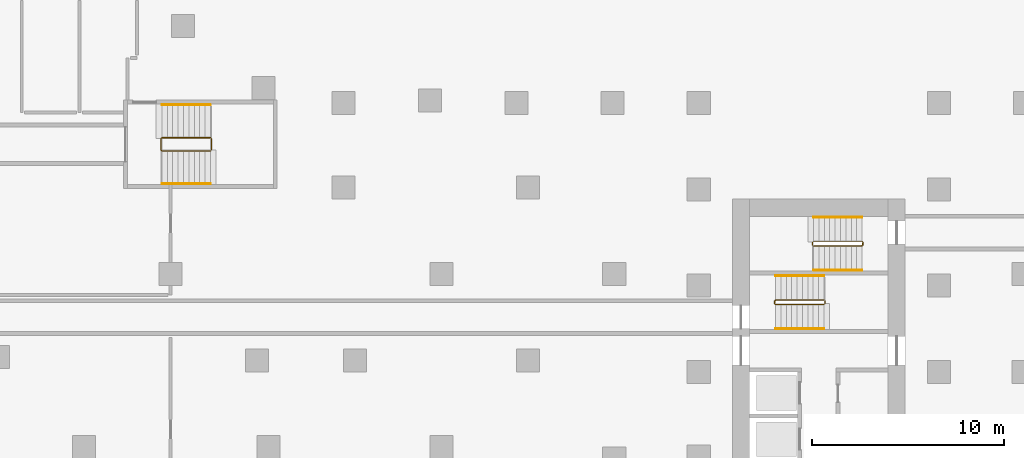
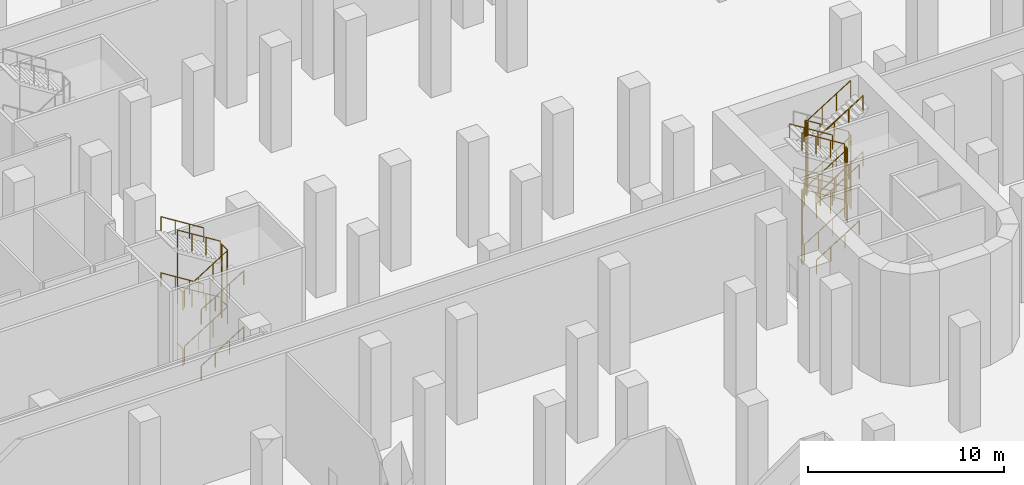
# One storey, part 30 of 34: 18 railings.
"""IFC4 building model written with IfcOpenShell, lengths in metres."""

import ifcopenshell
import ifcopenshell.guid

model = None  # the IFC model being written
_history = None  # IfcOwnerHistory: only IFC2X3 demands one
_inside = {}  # id of a spatial element -> (the spatial element, [elements in it])
_under = {}  # id of a project, library or spatial element -> (it, [spatial elements below it])
_declared = {}  # id of a project -> (the project, [libraries it declares])
_typed = {}  # id of a type object -> (the type object, [elements of that type])
_made_of = {}  # id of a material, layer set ... -> (it, [elements and type objects made of it])


def new_model(schema):
    """Start an empty IFC model of exactly this schema.

    Asked for "IFC4X3", IfcOpenShell would pick the latest addendum, in which some entities
    have other attributes; the version numbers below select the first issue.
    IFC2X3 requires an IfcOwnerHistory on every rooted entity: one is made here for all.
    """
    global model, _history
    if schema == "IFC4X3":
        model = ifcopenshell.file(schema_version=(4, 3, 0, 0))
    else:
        model = ifcopenshell.file(schema=schema)
    _inside.clear()
    _under.clear()
    _declared.clear()
    _typed.clear()
    _made_of.clear()
    _history = None
    if model.schema == "IFC2X3":
        org = make("IfcOrganization", Name="unknown")
        user = make(
            "IfcPersonAndOrganization",
            ThePerson=make("IfcPerson", FamilyName="unknown"),
            TheOrganization=org,
        )
        app = make(
            "IfcApplication",
            ApplicationDeveloper=org,
            Version="unknown",
            ApplicationFullName="unknown",
            ApplicationIdentifier="unknown",
        )
        _history = make(
            "IfcOwnerHistory",
            OwningUser=user,
            OwningApplication=app,
            ChangeAction="ADDED",
            CreationDate=0,
        )
    return model


def make(cls, **values):
    """One entity of the class cls with the attributes given. An attribute that is None is left unset."""
    return model.create_entity(
        cls, **{name: value for name, value in values.items() if value is not None}
    )


def rooted(cls, **values):
    """An entity with a GlobalId (a new one), such as an element, a storey or a relation."""
    return make(cls, GlobalId=ifcopenshell.guid.new(), OwnerHistory=_history, **values)


def si_unit(unit_type, name, prefix=None):
    """IfcSIUnit, for example si_unit("LENGTHUNIT", "METRE", prefix="MILLI")."""
    return make("IfcSIUnit", UnitType=unit_type, Prefix=prefix, Name=name)


def assignment(units):
    """IfcUnitAssignment: the units of a project."""
    return None if units is None else make("IfcUnitAssignment", Units=units)


def point(xyz):
    """IfcCartesianPoint."""
    return None if xyz is None else make("IfcCartesianPoint", Coordinates=xyz)


def direction(xyz):
    """IfcDirection."""
    return None if xyz is None else make("IfcDirection", DirectionRatios=xyz)


def frame(location, z_axis=None, x_axis=None):
    """IfcAxis2Placement3D, a coordinate frame: its origin and axes. An axis left out is left unset."""
    return make(
        "IfcAxis2Placement3D",
        Location=point(location),
        Axis=direction(z_axis),
        RefDirection=direction(x_axis),
    )


def frame_2d(location, x_axis=None):
    """IfcAxis2Placement2D, a coordinate frame in the plane: its origin and x axis."""
    return make(
        "IfcAxis2Placement2D", Location=point(location), RefDirection=direction(x_axis)
    )


def origin():
    """The frame at (0, 0, 0) with its axes left unset."""
    return frame((0.0, 0.0, 0.0))


def origin_2d():
    """The frame at (0, 0) in the plane with its x axis left unset."""
    return frame_2d((0.0, 0.0))


def place(relative_to, where):
    """IfcLocalPlacement: puts the frame where relative to a parent placement (None: the world)."""
    return make(
        "IfcLocalPlacement", PlacementRelTo=relative_to, RelativePlacement=where
    )


def context(
    kind, dimensions, precision=None, world=None, true_north=None, identifier=None
):
    """IfcGeometricRepresentationContext, for example the 3D "Model" context."""
    return make(
        "IfcGeometricRepresentationContext",
        ContextIdentifier=identifier,
        ContextType=kind,
        CoordinateSpaceDimension=dimensions,
        Precision=precision,
        WorldCoordinateSystem=world,
        TrueNorth=true_north,
    )


def subcontext(parent, identifier, kind, view, scale=None):
    """IfcGeometricRepresentationSubContext, for example "Body" below "Model"."""
    return make(
        "IfcGeometricRepresentationSubContext",
        ContextIdentifier=identifier,
        ContextType=kind,
        ParentContext=parent,
        TargetScale=scale,
        TargetView=view,
    )


def project(units=None, contexts=None):
    """IfcProject with its units and contexts."""
    return rooted(
        "IfcProject",
        Name="project",
        RepresentationContexts=contexts,
        UnitsInContext=assignment(units),
    )


def spatial(cls, under=None, at=None, **own):
    """A site, building, storey or space (cls), placed at a placement, below another one or the project."""
    s = rooted(cls, ObjectPlacement=at, **own)
    if under is not None:
        _under.setdefault(under.id(), (under, []))[1].append(s)
    return s


def profile(cls, at=None, kind="AREA", **sizes):
    """A parametric profile (cls). Its sizes go by their IFC names, for example OverallWidth=200.0."""
    return make(cls, ProfileType=kind, Position=at, **sizes)


def circle(**sizes):
    """IfcCircleProfileDef."""
    return profile("IfcCircleProfileDef", **sizes)


def extrude(swept, where, along, depth):
    """IfcExtrudedAreaSolid: the profile swept, set in the frame where, extruded along a direction by depth."""
    return make(
        "IfcExtrudedAreaSolid",
        SweptArea=swept,
        Position=where,
        ExtrudedDirection=direction(along),
        Depth=depth,
    )


def shape(context_of_items, identifier, shape_type, items):
    """IfcShapeRepresentation: the items that make up one representation, for example the "Body"."""
    return make(
        "IfcShapeRepresentation",
        ContextOfItems=context_of_items,
        RepresentationIdentifier=identifier,
        RepresentationType=shape_type,
        Items=items,
    )


def material(Name=None, Category=None):
    """IfcMaterial."""
    return make("IfcMaterial", Name=Name, Category=Category)


def made_of(thing, what):
    """Note that an element or type object is made of a material, layer set ...; save() writes the relation."""
    if what is not None:
        _made_of.setdefault(what.id(), (what, []))[1].append(thing)
    return thing


def type_object(cls, material=None, **own):
    """A type object (cls), such as IfcWallType, which elements share."""
    return made_of(rooted(cls, **own), material)


def element(
    cls,
    number,
    at=None,
    inside=None,
    cuts=None,
    type_object=None,
    material=None,
    context=None,
    identifier="Body",
    shape_type=None,
    held_by="IfcProductDefinitionShape",
    body=None,
    shapes=None,
    **own,
):
    """One element of the class cls, such as IfcWall. Its Tag is "e" and its number.

    at: its placement. inside: the storey or other place that contains it. cuts: it is an
    opening in that element (IfcRelVoidsElement). A single representation is given by context,
    identifier, shape_type and body (its items); several are given by shapes. held_by: the class
    of the entity that holds the representations. save() writes the other relations.
    """
    e = rooted(cls, Tag="e%d" % number, ObjectPlacement=at, **own)
    if body is not None:
        shapes = [shape(context, identifier, shape_type, body)]
    if shapes is not None:
        e.Representation = make(held_by, Representations=shapes)
    if inside is not None:
        _inside.setdefault(inside.id(), (inside, []))[1].append(e)
    if cuts is not None:
        rooted(
            "IfcRelVoidsElement", RelatingBuildingElement=cuts, RelatedOpeningElement=e
        )
    if type_object is not None:
        _typed.setdefault(type_object.id(), (type_object, []))[1].append(e)
    return made_of(e, material)


def aggregate(whole, parts):
    """IfcRelAggregates: a whole, such as a stair, and the parts it consists of."""
    return rooted("IfcRelAggregates", RelatingObject=whole, RelatedObjects=parts)


def save(model, path):
    """Write the relations noted so far, then the file.

    IfcRelAggregates (storeys below a building ...), IfcRelContainedInSpatialStructure (elements
    in a storey), IfcRelDefinesByType, IfcRelAssociatesMaterial and IfcRelDeclares: one each for
    every whole, place, type object, material and project.
    """
    for whole, parts in _under.values():
        aggregate(whole, parts)
    for where, things in _inside.values():
        rooted(
            "IfcRelContainedInSpatialStructure",
            RelatedElements=things,
            RelatingStructure=where,
        )
    for kind, things in _typed.values():
        rooted("IfcRelDefinesByType", RelatedObjects=things, RelatingType=kind)
    for what, things in _made_of.values():
        rooted("IfcRelAssociatesMaterial", RelatedObjects=things, RelatingMaterial=what)
    for by, libraries in _declared.values():
        rooted("IfcRelDeclares", RelatingContext=by, RelatedDefinitions=libraries)
    model.write(path)


model = new_model("IFC4")

# Units and contexts
model_context = context("Model", 3, precision=1e-05, world=origin(), true_north=direction((0.0, 1.0)))
body_context = subcontext(model_context, "Body", "Model", "MODEL_VIEW")
ifc_project = project(units=[si_unit("LENGTHUNIT", "METRE"), si_unit("AREAUNIT", "SQUARE_METRE"), si_unit("VOLUMEUNIT", "CUBIC_METRE"), si_unit("PLANEANGLEUNIT", "RADIAN"), si_unit("MASSUNIT", "GRAM", prefix="KILO")], contexts=[model_context])

# Site, building, storey
site_placement = place(None, origin())
site = spatial("IfcSite", under=ifc_project, at=site_placement, CompositionType="ELEMENT")
building_placement = place(site_placement, origin())
building = spatial("IfcBuilding", under=site, at=building_placement, Name="Zarbagh Exchange Tower", CompositionType="ELEMENT")
storey_placement = place(building_placement, origin())
storey = spatial("IfcBuildingStorey", under=building, at=storey_placement, Name="L00", CompositionType="ELEMENT", Elevation=0.0)

# Railings
ifc_material = material(Name="Stainless steel", Category="steel")
railing_type_1 = type_object("IfcRailingType", Name="Stair guard 1100 mm", PredefinedType="GUARDRAIL", material=ifc_material)
railing_1_placement = place(storey_placement, frame((-2.25, -16.75, 0.175048828125)))
element("IfcRailing", 1, at=railing_1_placement, inside=storey, type_object=railing_type_1, Name="ST3 stair guard 1", PredefinedType="GUARDRAIL", context=body_context, shape_type="SweptSolid", body=[
    extrude(circle(Radius=0.02392578125, at=origin_2d()), frame((0.0, 0.0, 1.076171875), z_axis=(0.848007534815, 0.0, 0.529984170421), x_axis=(0.0, 1.0, 0.0)), (0.0, 0.0, 1.0), 2.9716796875),
    extrude(circle(Radius=0.02392578125, at=origin_2d()), frame((2.52001953125, 0.0, 2.65087890625), z_axis=(0.0, 0.0, 1.0), x_axis=(1.0, 0.0, 0.0)), (0.0, 0.0, 1.0), 3.5),
    extrude(circle(Radius=0.02392578125, at=origin_2d()), frame((2.52001953125, 0.0, 6.15087890625), z_axis=(-0.848007534815, 0.0, -0.529984170421), x_axis=(0.0, -1.0, 0.0)), (0.0, 0.0, 1.0), 2.9716796875),
    extrude(circle(Radius=0.02392578125, at=origin_2d()), frame((0.0, 0.0, 4.576171875), z_axis=(-0.265065253269, 0.265065253269, -0.927081885822), x_axis=(-0.707106781187, -0.707106781187, 0.0)), (0.0, 0.0, 1.0), 0.188720703125),
    extrude(circle(Radius=0.02392578125, at=origin_2d()), frame((-0.050048828125, 0.050048828125, 4.40087890625), z_axis=(0.0, 1.0, 0.0), x_axis=(-1.0, 0.0, 0.0)), (0.0, 0.0, 1.0), 0.14990234375),
    extrude(circle(Radius=0.02392578125, at=origin_2d()), frame((-0.050048828125, 0.199951171875, 4.40087890625), z_axis=(0.0, 0.0, -1.0), x_axis=(1.0, 0.0, 0.0)), (0.0, 0.0, 1.0), 3.5),
    extrude(circle(Radius=0.02392578125, at=origin_2d()), frame((-0.050048828125, 0.199951171875, 0.90087890625), z_axis=(0.0, -1.0, 0.0), x_axis=(1.0, 0.0, 0.0)), (0.0, 0.0, 1.0), 0.14990234375),
    extrude(circle(Radius=0.02392578125, at=origin_2d()), frame((-0.050048828125, 0.050048828125, 0.90087890625), z_axis=(0.014274932499, 0.057030096177, 0.998270401461), x_axis=(-0.970072785993, 0.242814311512, 0.0)), (0.0, 0.0, 1.0), 3.506103515625),
    extrude(circle(Radius=0.02392578125, at=origin_2d()), frame((0.0, 0.25, 4.40087890625), z_axis=(0.848007534815, 0.0, -0.529984170421), x_axis=(0.0, 1.0, 0.0)), (0.0, 0.0, 1.0), 2.9716796875),
    extrude(circle(Radius=0.02392578125, at=origin_2d()), frame((2.52001953125, 0.25, 2.826171875), z_axis=(0.0, 0.0, 1.0), x_axis=(1.0, 0.0, 0.0)), (0.0, 0.0, 1.0), 3.5),
    extrude(circle(Radius=0.02392578125, at=origin_2d()), frame((2.52001953125, 0.25, 6.326171875), z_axis=(-0.848007534815, 0.0, 0.529984170421), x_axis=(0.0, -1.0, 0.0)), (0.0, 0.0, 1.0), 2.9716796875),
    extrude(circle(Radius=0.02099609375, at=origin_2d()), origin(), (0.0, 0.0, 1.0), 1.052001953125),
    extrude(circle(Radius=0.02099609375, at=origin_2d()), frame((0.840087890625, 0.0, 0.52490234375)), (0.0, 0.0, 1.0), 1.052001953125),
    extrude(circle(Radius=0.02099609375, at=origin_2d()), frame((1.679931640625, 0.0, 1.050048828125)), (0.0, 0.0, 1.0), 1.052001953125),
    extrude(circle(Radius=0.02099609375, at=origin_2d()), frame((2.52001953125, 0.0, 1.574951171875)), (0.0, 0.0, 1.0), 1.052001953125),
    extrude(circle(Radius=0.02099609375, at=origin_2d()), frame((2.52001953125, 0.0, 2.74169921875)), (0.0, 0.0, 1.0), 1.052001953125),
    extrude(circle(Radius=0.02099609375, at=origin_2d()), frame((2.52001953125, 0.0, 3.908203125)), (0.0, 0.0, 1.0), 1.052001953125),
    extrude(circle(Radius=0.02099609375, at=origin_2d()), frame((2.52001953125, 0.0, 5.074951171875)), (0.0, 0.0, 1.0), 1.052001953125),
    extrude(circle(Radius=0.02099609375, at=origin_2d()), frame((1.679931640625, 0.0, 4.550048828125)), (0.0, 0.0, 1.0), 1.052001953125),
    extrude(circle(Radius=0.02099609375, at=origin_2d()), frame((0.840087890625, 0.0, 4.02490234375)), (0.0, 0.0, 1.0), 1.052001953125),
    extrude(circle(Radius=0.02099609375, at=origin_2d()), frame((0.0, 0.0, 3.5)), (0.0, 0.0, 1.0), 1.052001953125),
    extrude(circle(Radius=0.02099609375, at=origin_2d()), frame((-0.050048828125, 0.050048828125, 3.324951171875)), (0.0, 0.0, 1.0), 1.052001953125),
    extrude(circle(Radius=0.02099609375, at=origin_2d()), frame((-0.050048828125, 0.199951171875, 3.324951171875)), (0.0, 0.0, 1.0), 1.052001953125),
    extrude(circle(Radius=0.02099609375, at=origin_2d()), frame((-0.050048828125, 0.199951171875, 2.158203125)), (0.0, 0.0, 1.0), 1.052001953125),
    extrude(circle(Radius=0.02099609375, at=origin_2d()), frame((-0.050048828125, 0.199951171875, 0.99169921875)), (0.0, 0.0, 1.0), 1.052001953125),
    extrude(circle(Radius=0.02099609375, at=origin_2d()), frame((-0.050048828125, 0.199951171875, -0.175048828125)), (0.0, 0.0, 1.0), 1.052001953125),
    extrude(circle(Radius=0.02099609375, at=origin_2d()), frame((-0.050048828125, 0.050048828125, -0.175048828125)), (0.0, 0.0, 1.0), 1.052001953125),
    extrude(circle(Radius=0.02099609375, at=origin_2d()), frame((-0.033447265625, 0.11669921875, 0.99169921875)), (0.0, 0.0, 1.0), 1.052001953125),
    extrude(circle(Radius=0.02099609375, at=origin_2d()), frame((-0.0166015625, 0.183349609375, 2.158203125)), (0.0, 0.0, 1.0), 1.052001953125),
    extrude(circle(Radius=0.02099609375, at=origin_2d()), frame((0.0, 0.25, 3.324951171875)), (0.0, 0.0, 1.0), 1.052001953125),
    extrude(circle(Radius=0.02099609375, at=origin_2d()), frame((0.840087890625, 0.25, 2.800048828125)), (0.0, 0.0, 1.0), 1.052001953125),
    extrude(circle(Radius=0.02099609375, at=origin_2d()), frame((1.679931640625, 0.25, 2.27490234375)), (0.0, 0.0, 1.0), 1.052001953125),
    extrude(circle(Radius=0.02099609375, at=origin_2d()), frame((2.52001953125, 0.25, 1.75)), (0.0, 0.0, 1.0), 1.052001953125),
    extrude(circle(Radius=0.02099609375, at=origin_2d()), frame((2.52001953125, 0.25, 2.916748046875)), (0.0, 0.0, 1.0), 1.052001953125),
    extrude(circle(Radius=0.02099609375, at=origin_2d()), frame((2.52001953125, 0.25, 4.083251953125)), (0.0, 0.0, 1.0), 1.052001953125),
    extrude(circle(Radius=0.02099609375, at=origin_2d()), frame((2.52001953125, 0.25, 5.25)), (0.0, 0.0, 1.0), 1.052001953125),
    extrude(circle(Radius=0.02099609375, at=origin_2d()), frame((1.679931640625, 0.25, 5.77490234375)), (0.0, 0.0, 1.0), 1.052001953125),
    extrude(circle(Radius=0.02099609375, at=origin_2d()), frame((0.840087890625, 0.25, 6.300048828125)), (0.0, 0.0, 1.0), 1.052001953125),
    extrude(circle(Radius=0.02099609375, at=origin_2d()), frame((0.0, 0.25, 6.824951171875)), (0.0, 0.0, 1.0), 1.052001953125),
])
railing_2_placement = place(storey_placement, frame((0.320068359375, -16.699951171875, 1.75)))
element("IfcRailing", 2, at=railing_2_placement, inside=storey, type_object=railing_type_1, Name="ST3 stair guard 2", PredefinedType="GUARDRAIL", context=body_context, shape_type="SweptSolid", body=[
    extrude(circle(Radius=0.02392578125, at=origin_2d()), frame((0.0, 0.0, 1.076171875), z_axis=(0.0, 1.0, 0.0), x_axis=(-1.0, 0.0, 0.0)), (0.0, 0.0, 1.0), 0.14990234375),
    extrude(circle(Radius=0.02392578125, at=origin_2d()), frame((0.0, 0.14990234375, 1.076171875), z_axis=(0.0, 0.0, 1.0), x_axis=(1.0, 0.0, 0.0)), (0.0, 0.0, 1.0), 3.5),
    extrude(circle(Radius=0.02392578125, at=origin_2d()), frame((0.0, 0.14990234375, 4.576171875), z_axis=(0.0, -1.0, 0.0), x_axis=(1.0, 0.0, 0.0)), (0.0, 0.0, 1.0), 0.14990234375),
    extrude(circle(Radius=0.02099609375, at=origin_2d()), origin(), (0.0, 0.0, 1.0), 1.052001953125),
    extrude(circle(Radius=0.02099609375, at=origin_2d()), frame((0.0, 0.14990234375, 0.0)), (0.0, 0.0, 1.0), 1.052001953125),
    extrude(circle(Radius=0.02099609375, at=origin_2d()), frame((0.0, 0.14990234375, 1.166748046875)), (0.0, 0.0, 1.0), 1.052001953125),
    extrude(circle(Radius=0.02099609375, at=origin_2d()), frame((0.0, 0.14990234375, 2.333251953125)), (0.0, 0.0, 1.0), 1.052001953125),
    extrude(circle(Radius=0.02099609375, at=origin_2d()), frame((0.0, 0.14990234375, 3.5)), (0.0, 0.0, 1.0), 1.052001953125),
    extrude(circle(Radius=0.02099609375, at=origin_2d()), frame((0.0, 0.0, 3.5)), (0.0, 0.0, 1.0), 1.052001953125),
])
railing_3_placement = place(storey_placement, frame((2.25, -13.449951171875, 0.175048828125)))
element("IfcRailing", 3, at=railing_3_placement, inside=storey, type_object=railing_type_1, Name="ST4 stair guard 1", PredefinedType="GUARDRAIL", context=body_context, shape_type="SweptSolid", body=[
    extrude(circle(Radius=0.02392578125, at=origin_2d()), frame((0.0, 0.0, 1.076171875), z_axis=(-0.848007534815, 0.0, 0.529984170421), x_axis=(0.0, -1.0, 0.0)), (0.0, 0.0, 1.0), 2.9716796875),
    extrude(circle(Radius=0.02392578125, at=origin_2d()), frame((-2.52001953125, 0.0, 2.65087890625), z_axis=(0.0, 0.0, 1.0), x_axis=(1.0, 0.0, 0.0)), (0.0, 0.0, 1.0), 3.5),
    extrude(circle(Radius=0.02392578125, at=origin_2d()), frame((-2.52001953125, 0.0, 6.15087890625), z_axis=(0.848007534815, 0.0, -0.529984170421), x_axis=(0.0, 1.0, 0.0)), (0.0, 0.0, 1.0), 2.9716796875),
    extrude(circle(Radius=0.02392578125, at=origin_2d()), frame((0.0, 0.0, 4.576171875), z_axis=(0.265065253269, -0.265065253269, -0.927081885822), x_axis=(0.707106781187, 0.707106781187, 0.0)), (0.0, 0.0, 1.0), 0.188720703125),
    extrude(circle(Radius=0.02392578125, at=origin_2d()), frame((0.050048828125, -0.050048828125, 4.40087890625), z_axis=(0.0, -1.0, 0.0), x_axis=(1.0, 0.0, 0.0)), (0.0, 0.0, 1.0), 0.14990234375),
    extrude(circle(Radius=0.02392578125, at=origin_2d()), frame((0.050048828125, -0.199951171875, 4.40087890625), z_axis=(0.0, 0.0, -1.0), x_axis=(1.0, 0.0, 0.0)), (0.0, 0.0, 1.0), 3.5),
    extrude(circle(Radius=0.02392578125, at=origin_2d()), frame((0.050048828125, -0.199951171875, 0.90087890625), z_axis=(0.0, 1.0, 0.0), x_axis=(-1.0, 0.0, 0.0)), (0.0, 0.0, 1.0), 0.14990234375),
    extrude(circle(Radius=0.02392578125, at=origin_2d()), frame((0.050048828125, -0.050048828125, 0.90087890625), z_axis=(-0.014274932499, -0.057030096177, 0.998270401461), x_axis=(0.970072785993, -0.242814311512, 0.0)), (0.0, 0.0, 1.0), 3.506103515625),
    extrude(circle(Radius=0.02392578125, at=origin_2d()), frame((0.0, -0.25, 4.40087890625), z_axis=(-0.848007534815, 0.0, -0.529984170421), x_axis=(0.0, -1.0, 0.0)), (0.0, 0.0, 1.0), 2.9716796875),
    extrude(circle(Radius=0.02392578125, at=origin_2d()), frame((-2.52001953125, -0.25, 2.826171875), z_axis=(0.0, 0.0, 1.0), x_axis=(1.0, 0.0, 0.0)), (0.0, 0.0, 1.0), 3.5),
    extrude(circle(Radius=0.02392578125, at=origin_2d()), frame((-2.52001953125, -0.25, 6.326171875), z_axis=(0.848007534815, 0.0, 0.529984170421), x_axis=(0.0, 1.0, 0.0)), (0.0, 0.0, 1.0), 2.9716796875),
    extrude(circle(Radius=0.02099609375, at=origin_2d()), origin(), (0.0, 0.0, 1.0), 1.052001953125),
    extrude(circle(Radius=0.02099609375, at=origin_2d()), frame((-0.840087890625, 0.0, 0.52490234375)), (0.0, 0.0, 1.0), 1.052001953125),
    extrude(circle(Radius=0.02099609375, at=origin_2d()), frame((-1.679931640625, 0.0, 1.050048828125)), (0.0, 0.0, 1.0), 1.052001953125),
    extrude(circle(Radius=0.02099609375, at=origin_2d()), frame((-2.52001953125, 0.0, 1.574951171875)), (0.0, 0.0, 1.0), 1.052001953125),
    extrude(circle(Radius=0.02099609375, at=origin_2d()), frame((-2.52001953125, 0.0, 2.74169921875)), (0.0, 0.0, 1.0), 1.052001953125),
    extrude(circle(Radius=0.02099609375, at=origin_2d()), frame((-2.52001953125, 0.0, 3.908203125)), (0.0, 0.0, 1.0), 1.052001953125),
    extrude(circle(Radius=0.02099609375, at=origin_2d()), frame((-2.52001953125, 0.0, 5.074951171875)), (0.0, 0.0, 1.0), 1.052001953125),
    extrude(circle(Radius=0.02099609375, at=origin_2d()), frame((-1.679931640625, 0.0, 4.550048828125)), (0.0, 0.0, 1.0), 1.052001953125),
    extrude(circle(Radius=0.02099609375, at=origin_2d()), frame((-0.840087890625, 0.0, 4.02490234375)), (0.0, 0.0, 1.0), 1.052001953125),
    extrude(circle(Radius=0.02099609375, at=origin_2d()), frame((0.0, 0.0, 3.5)), (0.0, 0.0, 1.0), 1.052001953125),
    extrude(circle(Radius=0.02099609375, at=origin_2d()), frame((0.050048828125, -0.050048828125, 3.324951171875)), (0.0, 0.0, 1.0), 1.052001953125),
    extrude(circle(Radius=0.02099609375, at=origin_2d()), frame((0.050048828125, -0.199951171875, 3.324951171875)), (0.0, 0.0, 1.0), 1.052001953125),
    extrude(circle(Radius=0.02099609375, at=origin_2d()), frame((0.050048828125, -0.199951171875, 2.158203125)), (0.0, 0.0, 1.0), 1.052001953125),
    extrude(circle(Radius=0.02099609375, at=origin_2d()), frame((0.050048828125, -0.199951171875, 0.99169921875)), (0.0, 0.0, 1.0), 1.052001953125),
    extrude(circle(Radius=0.02099609375, at=origin_2d()), frame((0.050048828125, -0.199951171875, -0.175048828125)), (0.0, 0.0, 1.0), 1.052001953125),
    extrude(circle(Radius=0.02099609375, at=origin_2d()), frame((0.050048828125, -0.050048828125, -0.175048828125)), (0.0, 0.0, 1.0), 1.052001953125),
    extrude(circle(Radius=0.02099609375, at=origin_2d()), frame((0.033447265625, -0.11669921875, 0.99169921875)), (0.0, 0.0, 1.0), 1.052001953125),
    extrude(circle(Radius=0.02099609375, at=origin_2d()), frame((0.0166015625, -0.183349609375, 2.158203125)), (0.0, 0.0, 1.0), 1.052001953125),
    extrude(circle(Radius=0.02099609375, at=origin_2d()), frame((0.0, -0.25, 3.324951171875)), (0.0, 0.0, 1.0), 1.052001953125),
    extrude(circle(Radius=0.02099609375, at=origin_2d()), frame((-0.840087890625, -0.25, 2.800048828125)), (0.0, 0.0, 1.0), 1.052001953125),
    extrude(circle(Radius=0.02099609375, at=origin_2d()), frame((-1.679931640625, -0.25, 2.27490234375)), (0.0, 0.0, 1.0), 1.052001953125),
    extrude(circle(Radius=0.02099609375, at=origin_2d()), frame((-2.52001953125, -0.25, 1.75)), (0.0, 0.0, 1.0), 1.052001953125),
    extrude(circle(Radius=0.02099609375, at=origin_2d()), frame((-2.52001953125, -0.25, 2.916748046875)), (0.0, 0.0, 1.0), 1.052001953125),
    extrude(circle(Radius=0.02099609375, at=origin_2d()), frame((-2.52001953125, -0.25, 4.083251953125)), (0.0, 0.0, 1.0), 1.052001953125),
    extrude(circle(Radius=0.02099609375, at=origin_2d()), frame((-2.52001953125, -0.25, 5.25)), (0.0, 0.0, 1.0), 1.052001953125),
    extrude(circle(Radius=0.02099609375, at=origin_2d()), frame((-1.679931640625, -0.25, 5.77490234375)), (0.0, 0.0, 1.0), 1.052001953125),
    extrude(circle(Radius=0.02099609375, at=origin_2d()), frame((-0.840087890625, -0.25, 6.300048828125)), (0.0, 0.0, 1.0), 1.052001953125),
    extrude(circle(Radius=0.02099609375, at=origin_2d()), frame((0.0, -0.25, 6.824951171875)), (0.0, 0.0, 1.0), 1.052001953125),
])
railing_4_placement = place(storey_placement, frame((-0.320068359375, -13.5, 1.75)))
element("IfcRailing", 4, at=railing_4_placement, inside=storey, type_object=railing_type_1, Name="ST4 stair guard 2", PredefinedType="GUARDRAIL", context=body_context, shape_type="SweptSolid", body=[
    extrude(circle(Radius=0.02392578125, at=origin_2d()), frame((0.0, 0.0, 1.076171875), z_axis=(0.0, -1.0, 0.0), x_axis=(1.0, 0.0, 0.0)), (0.0, 0.0, 1.0), 0.14990234375),
    extrude(circle(Radius=0.02392578125, at=origin_2d()), frame((0.0, -0.14990234375, 1.076171875), z_axis=(0.0, 0.0, 1.0), x_axis=(1.0, 0.0, 0.0)), (0.0, 0.0, 1.0), 3.5),
    extrude(circle(Radius=0.02392578125, at=origin_2d()), frame((0.0, -0.14990234375, 4.576171875), z_axis=(0.0, 1.0, 0.0), x_axis=(-1.0, 0.0, 0.0)), (0.0, 0.0, 1.0), 0.14990234375),
    extrude(circle(Radius=0.02099609375, at=origin_2d()), origin(), (0.0, 0.0, 1.0), 1.052001953125),
    extrude(circle(Radius=0.02099609375, at=origin_2d()), frame((0.0, -0.14990234375, 0.0)), (0.0, 0.0, 1.0), 1.052001953125),
    extrude(circle(Radius=0.02099609375, at=origin_2d()), frame((0.0, -0.14990234375, 1.166748046875)), (0.0, 0.0, 1.0), 1.052001953125),
    extrude(circle(Radius=0.02099609375, at=origin_2d()), frame((0.0, -0.14990234375, 2.333251953125)), (0.0, 0.0, 1.0), 1.052001953125),
    extrude(circle(Radius=0.02099609375, at=origin_2d()), frame((0.0, -0.14990234375, 3.5)), (0.0, 0.0, 1.0), 1.052001953125),
    extrude(circle(Radius=0.02099609375, at=origin_2d()), frame((0.0, 0.0, 3.5)), (0.0, 0.0, 1.0), 1.052001953125),
])
railing_5_placement = place(storey_placement, frame((-34.199951171875, -8.75, 0.175048828125)))
element("IfcRailing", 5, at=railing_5_placement, inside=storey, type_object=railing_type_1, Name="PS4 stair guard 1", PredefinedType="GUARDRAIL", context=body_context, shape_type="SweptSolid", body=[
    extrude(circle(Radius=0.02392578125, at=origin_2d()), frame((0.0, 0.0, 1.076171875), z_axis=(0.848007534815, 0.0, 0.529984170421), x_axis=(0.0, 1.0, 0.0)), (0.0, 0.0, 1.0), 2.9716796875),
    extrude(circle(Radius=0.02392578125, at=origin_2d()), frame((2.52001953125, 0.0, 2.65087890625), z_axis=(0.0, 0.0, 1.0), x_axis=(1.0, 0.0, 0.0)), (0.0, 0.0, 1.0), 3.5),
    extrude(circle(Radius=0.02392578125, at=origin_2d()), frame((2.52001953125, 0.0, 6.15087890625), z_axis=(-0.848007534815, 0.0, -0.529984170421), x_axis=(0.0, -1.0, 0.0)), (0.0, 0.0, 1.0), 2.9716796875),
    extrude(circle(Radius=0.02392578125, at=origin_2d()), frame((0.0, 0.0, 4.576171875), z_axis=(-0.265065253269, 0.265065253269, -0.927081885822), x_axis=(-0.707106781187, -0.707106781187, 0.0)), (0.0, 0.0, 1.0), 0.188720703125),
    extrude(circle(Radius=0.02392578125, at=origin_2d()), frame((-0.050048828125, 0.050048828125, 4.40087890625), z_axis=(0.0, 1.0, 0.0), x_axis=(-1.0, 0.0, 0.0)), (0.0, 0.0, 1.0), 0.599853515625),
    extrude(circle(Radius=0.02392578125, at=origin_2d()), frame((-0.050048828125, 0.64990234375, 4.40087890625), z_axis=(0.0, 0.0, -1.0), x_axis=(1.0, 0.0, 0.0)), (0.0, 0.0, 1.0), 3.5),
    extrude(circle(Radius=0.02392578125, at=origin_2d()), frame((-0.050048828125, 0.64990234375, 0.90087890625), z_axis=(0.0, -1.0, 0.0), x_axis=(1.0, 0.0, 0.0)), (0.0, 0.0, 1.0), 0.599853515625),
    extrude(circle(Radius=0.02099609375, at=origin_2d()), origin(), (0.0, 0.0, 1.0), 1.052001953125),
    extrude(circle(Radius=0.02099609375, at=origin_2d()), frame((0.840087890625, 0.0, 0.52490234375)), (0.0, 0.0, 1.0), 1.052001953125),
    extrude(circle(Radius=0.02099609375, at=origin_2d()), frame((1.679931640625, 0.0, 1.050048828125)), (0.0, 0.0, 1.0), 1.052001953125),
    extrude(circle(Radius=0.02099609375, at=origin_2d()), frame((2.52001953125, 0.0, 1.574951171875)), (0.0, 0.0, 1.0), 1.052001953125),
    extrude(circle(Radius=0.02099609375, at=origin_2d()), frame((2.52001953125, 0.0, 2.74169921875)), (0.0, 0.0, 1.0), 1.052001953125),
    extrude(circle(Radius=0.02099609375, at=origin_2d()), frame((2.52001953125, 0.0, 3.908203125)), (0.0, 0.0, 1.0), 1.052001953125),
    extrude(circle(Radius=0.02099609375, at=origin_2d()), frame((2.52001953125, 0.0, 5.074951171875)), (0.0, 0.0, 1.0), 1.052001953125),
    extrude(circle(Radius=0.02099609375, at=origin_2d()), frame((1.679931640625, 0.0, 4.550048828125)), (0.0, 0.0, 1.0), 1.052001953125),
    extrude(circle(Radius=0.02099609375, at=origin_2d()), frame((0.840087890625, 0.0, 4.02490234375)), (0.0, 0.0, 1.0), 1.052001953125),
    extrude(circle(Radius=0.02099609375, at=origin_2d()), frame((0.0, 0.0, 3.5)), (0.0, 0.0, 1.0), 1.052001953125),
    extrude(circle(Radius=0.02099609375, at=origin_2d()), frame((-0.050048828125, 0.050048828125, 3.324951171875)), (0.0, 0.0, 1.0), 1.052001953125),
    extrude(circle(Radius=0.02099609375, at=origin_2d()), frame((-0.050048828125, 0.64990234375, 3.324951171875)), (0.0, 0.0, 1.0), 1.052001953125),
    extrude(circle(Radius=0.02099609375, at=origin_2d()), frame((-0.050048828125, 0.64990234375, 2.158203125)), (0.0, 0.0, 1.0), 1.052001953125),
    extrude(circle(Radius=0.02099609375, at=origin_2d()), frame((-0.050048828125, 0.64990234375, 0.99169921875)), (0.0, 0.0, 1.0), 1.052001953125),
    extrude(circle(Radius=0.02099609375, at=origin_2d()), frame((-0.050048828125, 0.64990234375, -0.175048828125)), (0.0, 0.0, 1.0), 1.052001953125),
    extrude(circle(Radius=0.02099609375, at=origin_2d()), frame((-0.050048828125, 0.050048828125, -0.175048828125)), (0.0, 0.0, 1.0), 1.052001953125),
])
railing_6_placement = place(storey_placement, frame((-31.6298828125, -8.699951171875, 1.75)))
element("IfcRailing", 6, at=railing_6_placement, inside=storey, type_object=railing_type_1, Name="PS4 stair guard 2", PredefinedType="GUARDRAIL", context=body_context, shape_type="SweptSolid", body=[
    extrude(circle(Radius=0.02392578125, at=origin_2d()), frame((0.0, 0.0, 1.076171875), z_axis=(0.0, 1.0, 0.0), x_axis=(-1.0, 0.0, 0.0)), (0.0, 0.0, 1.0), 0.599853515625),
    extrude(circle(Radius=0.02392578125, at=origin_2d()), frame((0.0, 0.599853515625, 1.076171875), z_axis=(0.0, 0.0, 1.0), x_axis=(1.0, 0.0, 0.0)), (0.0, 0.0, 1.0), 3.5),
    extrude(circle(Radius=0.02392578125, at=origin_2d()), frame((0.0, 0.599853515625, 4.576171875), z_axis=(0.0, -1.0, 0.0), x_axis=(1.0, 0.0, 0.0)), (0.0, 0.0, 1.0), 0.599853515625),
    extrude(circle(Radius=0.02099609375, at=origin_2d()), origin(), (0.0, 0.0, 1.0), 1.052001953125),
    extrude(circle(Radius=0.02099609375, at=origin_2d()), frame((0.0, 0.599853515625, 0.0)), (0.0, 0.0, 1.0), 1.052001953125),
    extrude(circle(Radius=0.02099609375, at=origin_2d()), frame((0.0, 0.599853515625, 1.166748046875)), (0.0, 0.0, 1.0), 1.052001953125),
    extrude(circle(Radius=0.02099609375, at=origin_2d()), frame((0.0, 0.599853515625, 2.333251953125)), (0.0, 0.0, 1.0), 1.052001953125),
    extrude(circle(Radius=0.02099609375, at=origin_2d()), frame((0.0, 0.599853515625, 3.5)), (0.0, 0.0, 1.0), 1.052001953125),
    extrude(circle(Radius=0.02099609375, at=origin_2d()), frame((0.0, 0.0, 3.5)), (0.0, 0.0, 1.0), 1.052001953125),
])
railing_7_placement = place(storey_placement, frame((-31.679931640625, -8.050048828125, 1.925048828125)))
element("IfcRailing", 7, at=railing_7_placement, inside=storey, type_object=railing_type_1, Name="PS4 stair guard 3", PredefinedType="GUARDRAIL", context=body_context, shape_type="SweptSolid", body=[
    extrude(circle(Radius=0.02392578125, at=origin_2d()), frame((0.0, 0.0, 1.076171875), z_axis=(-0.848007534815, 0.0, 0.529984170421), x_axis=(0.0, -1.0, 0.0)), (0.0, 0.0, 1.0), 2.9716796875),
    extrude(circle(Radius=0.02392578125, at=origin_2d()), frame((-2.52001953125, 0.0, 2.65087890625), z_axis=(0.0, 0.0, 1.0), x_axis=(1.0, 0.0, 0.0)), (0.0, 0.0, 1.0), 3.5),
    extrude(circle(Radius=0.02392578125, at=origin_2d()), frame((-2.52001953125, 0.0, 6.15087890625), z_axis=(0.848007534815, 0.0, -0.529984170421), x_axis=(0.0, 1.0, 0.0)), (0.0, 0.0, 1.0), 2.9716796875),
    extrude(circle(Radius=0.02099609375, at=origin_2d()), origin(), (0.0, 0.0, 1.0), 1.052001953125),
    extrude(circle(Radius=0.02099609375, at=origin_2d()), frame((-0.840087890625, 0.0, 0.52490234375)), (0.0, 0.0, 1.0), 1.052001953125),
    extrude(circle(Radius=0.02099609375, at=origin_2d()), frame((-1.679931640625, 0.0, 1.050048828125)), (0.0, 0.0, 1.0), 1.052001953125),
    extrude(circle(Radius=0.02099609375, at=origin_2d()), frame((-2.52001953125, 0.0, 1.574951171875)), (0.0, 0.0, 1.0), 1.052001953125),
    extrude(circle(Radius=0.02099609375, at=origin_2d()), frame((-2.52001953125, 0.0, 2.74169921875)), (0.0, 0.0, 1.0), 1.052001953125),
    extrude(circle(Radius=0.02099609375, at=origin_2d()), frame((-2.52001953125, 0.0, 3.908203125)), (0.0, 0.0, 1.0), 1.052001953125),
    extrude(circle(Radius=0.02099609375, at=origin_2d()), frame((-2.52001953125, 0.0, 5.074951171875)), (0.0, 0.0, 1.0), 1.052001953125),
    extrude(circle(Radius=0.02099609375, at=origin_2d()), frame((-1.679931640625, 0.0, 4.550048828125)), (0.0, 0.0, 1.0), 1.052001953125),
    extrude(circle(Radius=0.02099609375, at=origin_2d()), frame((-0.840087890625, 0.0, 4.02490234375)), (0.0, 0.0, 1.0), 1.052001953125),
    extrude(circle(Radius=0.02099609375, at=origin_2d()), frame((0.0, 0.0, 3.5)), (0.0, 0.0, 1.0), 1.052001953125),
])
railing_type_2 = type_object("IfcRailingType", Name="Stair handrail 900 mm", PredefinedType="HANDRAIL", material=ifc_material)
railing_8_placement = place(storey_placement, frame((-2.25, -18.0, 0.175048828125)))
element("IfcRailing", 8, at=railing_8_placement, inside=storey, type_object=railing_type_2, Name="ST3 stair handrail 1", PredefinedType="HANDRAIL", context=body_context, shape_type="SweptSolid", body=[
    extrude(circle(Radius=0.02392578125, at=origin_2d()), frame((0.0, 0.0, 0.8759765625), z_axis=(0.848007534815, 0.0, 0.529984170421), x_axis=(0.0, 1.0, 0.0)), (0.0, 0.0, 1.0), 2.9716796875),
    extrude(circle(Radius=0.02099609375, at=origin_2d()), origin(), (0.0, 0.0, 1.0), 0.851806640625),
    extrude(circle(Radius=0.02099609375, at=origin_2d()), frame((0.840087890625, 0.0, 0.52490234375)), (0.0, 0.0, 1.0), 0.851806640625),
    extrude(circle(Radius=0.02099609375, at=origin_2d()), frame((1.679931640625, 0.0, 1.050048828125)), (0.0, 0.0, 1.0), 0.851806640625),
    extrude(circle(Radius=0.02099609375, at=origin_2d()), frame((2.52001953125, 0.0, 1.574951171875)), (0.0, 0.0, 1.0), 0.851806640625),
])
railing_9_placement = place(storey_placement, frame((0.27001953125, -15.25, 1.925048828125)))
element("IfcRailing", 9, at=railing_9_placement, inside=storey, type_object=railing_type_2, Name="ST3 stair handrail 2", PredefinedType="HANDRAIL", context=body_context, shape_type="SweptSolid", body=[
    extrude(circle(Radius=0.02392578125, at=origin_2d()), frame((0.0, 0.0, 0.8759765625), z_axis=(-0.848007534815, 0.0, 0.529984170421), x_axis=(0.0, -1.0, 0.0)), (0.0, 0.0, 1.0), 2.9716796875),
    extrude(circle(Radius=0.02099609375, at=origin_2d()), origin(), (0.0, 0.0, 1.0), 0.851806640625),
    extrude(circle(Radius=0.02099609375, at=origin_2d()), frame((-0.840087890625, 0.0, 0.52490234375)), (0.0, 0.0, 1.0), 0.851806640625),
    extrude(circle(Radius=0.02099609375, at=origin_2d()), frame((-1.679931640625, 0.0, 1.050048828125)), (0.0, 0.0, 1.0), 0.851806640625),
    extrude(circle(Radius=0.02099609375, at=origin_2d()), frame((-2.52001953125, 0.0, 1.574951171875)), (0.0, 0.0, 1.0), 0.851806640625),
])
railing_10_placement = place(storey_placement, frame((-2.25, -18.0, 3.675048828125)))
element("IfcRailing", 10, at=railing_10_placement, inside=storey, type_object=railing_type_2, Name="ST3 stair handrail 3", PredefinedType="HANDRAIL", context=body_context, shape_type="SweptSolid", body=[
    extrude(circle(Radius=0.02392578125, at=origin_2d()), frame((0.0, 0.0, 0.8759765625), z_axis=(0.848007534815, 0.0, 0.529984170421), x_axis=(0.0, 1.0, 0.0)), (0.0, 0.0, 1.0), 2.9716796875),
    extrude(circle(Radius=0.02099609375, at=origin_2d()), origin(), (0.0, 0.0, 1.0), 0.851806640625),
    extrude(circle(Radius=0.02099609375, at=origin_2d()), frame((0.840087890625, 0.0, 0.52490234375)), (0.0, 0.0, 1.0), 0.851806640625),
    extrude(circle(Radius=0.02099609375, at=origin_2d()), frame((1.679931640625, 0.0, 1.050048828125)), (0.0, 0.0, 1.0), 0.851806640625),
    extrude(circle(Radius=0.02099609375, at=origin_2d()), frame((2.52001953125, 0.0, 1.574951171875)), (0.0, 0.0, 1.0), 0.851806640625),
])
for number, where, name in (
    (11, (0.27001953125, -15.25, 5.425048828125), "ST3 stair handrail 4"),
    (12, (2.25, -12.199951171875, 0.175048828125), "ST4 stair handrail 1"),
):
    element("IfcRailing", number, at=place(storey_placement, frame(where)), inside=storey, type_object=railing_type_2, Name=name, PredefinedType="HANDRAIL", context=body_context, shape_type="SweptSolid", body=[
        extrude(circle(Radius=0.02392578125, at=origin_2d()), frame((0.0, 0.0, 0.8759765625), z_axis=(-0.848007534815, 0.0, 0.529984170421), x_axis=(0.0, -1.0, 0.0)), (0.0, 0.0, 1.0), 2.9716796875),
        extrude(circle(Radius=0.02099609375, at=origin_2d()), origin(), (0.0, 0.0, 1.0), 0.851806640625),
        extrude(circle(Radius=0.02099609375, at=origin_2d()), frame((-0.840087890625, 0.0, 0.52490234375)), (0.0, 0.0, 1.0), 0.851806640625),
        extrude(circle(Radius=0.02099609375, at=origin_2d()), frame((-1.679931640625, 0.0, 1.050048828125)), (0.0, 0.0, 1.0), 0.851806640625),
        extrude(circle(Radius=0.02099609375, at=origin_2d()), frame((-2.52001953125, 0.0, 1.574951171875)), (0.0, 0.0, 1.0), 0.851806640625),
    ])
for number, where, name in (
    (13, (-0.27001953125, -14.949951171875, 1.925048828125), "ST4 stair handrail 2"),
    (14, (-0.27001953125, -14.949951171875, 5.425048828125), "ST4 stair handrail 4"),
    (15, (-34.199951171875, -10.449951171875, 0.175048828125), "PS4 stair handrail 1"),
):
    element("IfcRailing", number, at=place(storey_placement, frame(where)), inside=storey, type_object=railing_type_2, Name=name, PredefinedType="HANDRAIL", context=body_context, shape_type="SweptSolid", body=[
        extrude(circle(Radius=0.02392578125, at=origin_2d()), frame((0.0, 0.0, 0.8759765625), z_axis=(0.848007534815, 0.0, 0.529984170421), x_axis=(0.0, 1.0, 0.0)), (0.0, 0.0, 1.0), 2.9716796875),
        extrude(circle(Radius=0.02099609375, at=origin_2d()), origin(), (0.0, 0.0, 1.0), 0.851806640625),
        extrude(circle(Radius=0.02099609375, at=origin_2d()), frame((0.840087890625, 0.0, 0.52490234375)), (0.0, 0.0, 1.0), 0.851806640625),
        extrude(circle(Radius=0.02099609375, at=origin_2d()), frame((1.679931640625, 0.0, 1.050048828125)), (0.0, 0.0, 1.0), 0.851806640625),
        extrude(circle(Radius=0.02099609375, at=origin_2d()), frame((2.52001953125, 0.0, 1.574951171875)), (0.0, 0.0, 1.0), 0.851806640625),
    ])
railing_11_placement = place(storey_placement, frame((-31.679931640625, -6.35009765625, 1.925048828125)))
element("IfcRailing", 16, at=railing_11_placement, inside=storey, type_object=railing_type_2, Name="PS4 stair handrail 2", PredefinedType="HANDRAIL", context=body_context, shape_type="SweptSolid", body=[
    extrude(circle(Radius=0.02392578125, at=origin_2d()), frame((0.0, 0.0, 0.8759765625), z_axis=(-0.848007534815, 0.0, 0.529984170421), x_axis=(0.0, -1.0, 0.0)), (0.0, 0.0, 1.0), 2.9716796875),
    extrude(circle(Radius=0.02099609375, at=origin_2d()), origin(), (0.0, 0.0, 1.0), 0.851806640625),
    extrude(circle(Radius=0.02099609375, at=origin_2d()), frame((-0.840087890625, 0.0, 0.52490234375)), (0.0, 0.0, 1.0), 0.851806640625),
    extrude(circle(Radius=0.02099609375, at=origin_2d()), frame((-1.679931640625, 0.0, 1.050048828125)), (0.0, 0.0, 1.0), 0.851806640625),
    extrude(circle(Radius=0.02099609375, at=origin_2d()), frame((-2.52001953125, 0.0, 1.574951171875)), (0.0, 0.0, 1.0), 0.851806640625),
])
railing_12_placement = place(storey_placement, frame((-34.199951171875, -10.449951171875, 3.675048828125)))
element("IfcRailing", 17, at=railing_12_placement, inside=storey, type_object=railing_type_2, Name="PS4 stair handrail 3", PredefinedType="HANDRAIL", context=body_context, shape_type="SweptSolid", body=[
    extrude(circle(Radius=0.02392578125, at=origin_2d()), frame((0.0, 0.0, 0.8759765625), z_axis=(0.848007534815, 0.0, 0.529984170421), x_axis=(0.0, 1.0, 0.0)), (0.0, 0.0, 1.0), 2.9716796875),
    extrude(circle(Radius=0.02099609375, at=origin_2d()), origin(), (0.0, 0.0, 1.0), 0.851806640625),
    extrude(circle(Radius=0.02099609375, at=origin_2d()), frame((0.840087890625, 0.0, 0.52490234375)), (0.0, 0.0, 1.0), 0.851806640625),
    extrude(circle(Radius=0.02099609375, at=origin_2d()), frame((1.679931640625, 0.0, 1.050048828125)), (0.0, 0.0, 1.0), 0.851806640625),
    extrude(circle(Radius=0.02099609375, at=origin_2d()), frame((2.52001953125, 0.0, 1.574951171875)), (0.0, 0.0, 1.0), 0.851806640625),
])
railing_13_placement = place(storey_placement, frame((-31.679931640625, -6.35009765625, 5.425048828125)))
element("IfcRailing", 18, at=railing_13_placement, inside=storey, type_object=railing_type_2, Name="PS4 stair handrail 4", PredefinedType="HANDRAIL", context=body_context, shape_type="SweptSolid", body=[
    extrude(circle(Radius=0.02392578125, at=origin_2d()), frame((0.0, 0.0, 0.8759765625), z_axis=(-0.848007534815, 0.0, 0.529984170421), x_axis=(0.0, -1.0, 0.0)), (0.0, 0.0, 1.0), 2.9716796875),
    extrude(circle(Radius=0.02099609375, at=origin_2d()), origin(), (0.0, 0.0, 1.0), 0.851806640625),
    extrude(circle(Radius=0.02099609375, at=origin_2d()), frame((-0.840087890625, 0.0, 0.52490234375)), (0.0, 0.0, 1.0), 0.851806640625),
    extrude(circle(Radius=0.02099609375, at=origin_2d()), frame((-1.679931640625, 0.0, 1.050048828125)), (0.0, 0.0, 1.0), 0.851806640625),
    extrude(circle(Radius=0.02099609375, at=origin_2d()), frame((-2.52001953125, 0.0, 1.574951171875)), (0.0, 0.0, 1.0), 0.851806640625),
])

save(model, "model.ifc")
